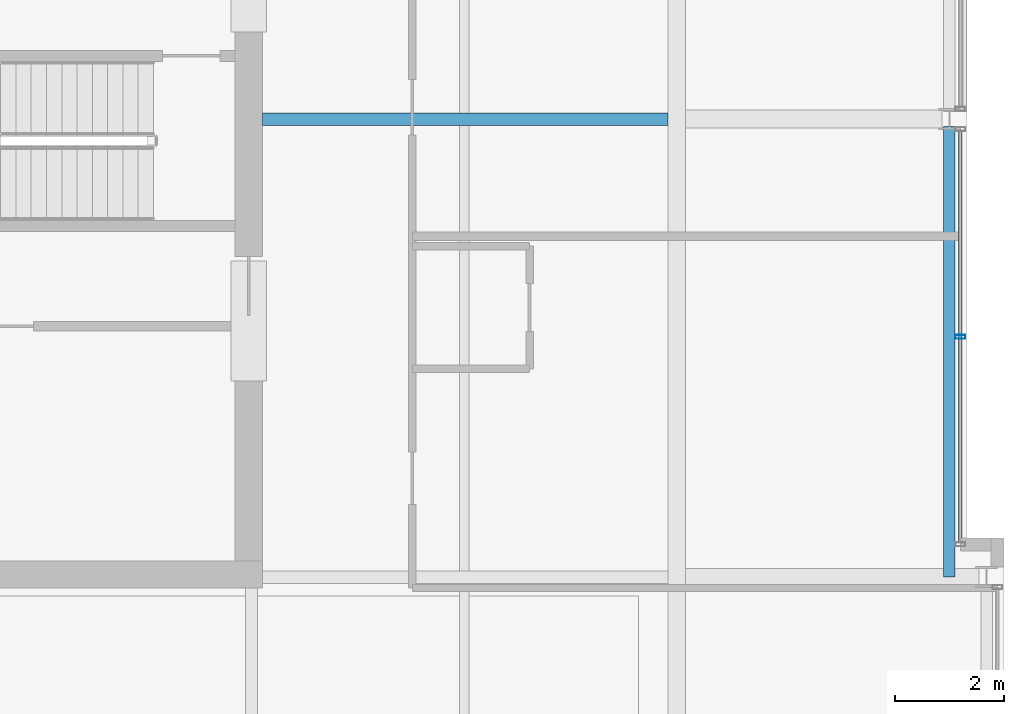
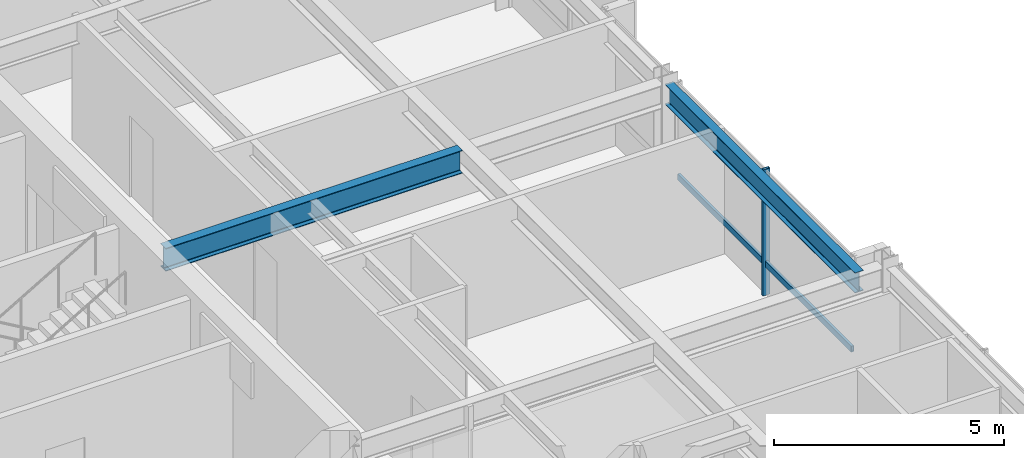
# One storey, part 14 of 32: 2 beams, 2 members, 1 element without a shape of its own.
"""IFC4 building model written with IfcOpenShell, lengths in metres."""

from ifc_helpers import new_model, si_unit, direction, frame, origin, origin_2d, place, context, subcontext, project, spatial, hollow_rectangle, i_section, extrude, material, layer, layer_set, material_profile, profile_set, type_object, element, aggregate, save


model = new_model("IFC4")

# Units and contexts
model_context = context("Model", 3, precision=1e-05, world=origin(), true_north=direction((0.0, 1.0)))
body_context = subcontext(model_context, "Body", "Model", "MODEL_VIEW")
ifc_project = project(units=[si_unit("LENGTHUNIT", "METRE"), si_unit("AREAUNIT", "SQUARE_METRE"), si_unit("VOLUMEUNIT", "CUBIC_METRE"), si_unit("PLANEANGLEUNIT", "RADIAN"), si_unit("MASSUNIT", "GRAM", prefix="KILO")], contexts=[model_context])

# Site, building, storey
site_placement = place(None, origin())
site = spatial("IfcSite", under=ifc_project, at=site_placement, CompositionType="ELEMENT")
building_placement = place(site_placement, origin())
building = spatial("IfcBuilding", under=site, at=building_placement, Name="Drelvath Grand Hotel", CompositionType="ELEMENT")
storey_placement = place(building_placement, frame((0.0, 0.0, 233.89990234375)))
storey = spatial("IfcBuildingStorey", under=building, at=storey_placement, Name="L61", CompositionType="ELEMENT", Elevation=233.89990234375)

# Curtain wall, members
ifc_material_1 = material(Name="Platinum-Mist Anodised Aluminium Frame", Category="aluminium")
ifc_layer = layer(ifc_material_1, 0.199951171875)
ifc_layer_set = layer_set([ifc_layer], Name="Platinum-Mist Anodised Aluminium Frame")
curtain_wall_type = type_object("IfcCurtainWallType", Name="Stick Curtain Wall CW-05 Platinum Mist High-Rise", PredefinedType="NOTDEFINED", material=ifc_layer_set)
curtain_wall_placement = place(storey_placement, origin())
curtain_wall = element("IfcCurtainWall", 1, at=curtain_wall_placement, inside=storey, type_object=curtain_wall_type, Name="L61 CW-05 Curtain Wall CW05-L61-EM1", PredefinedType="NOTDEFINED")
ifc_material_profile_1 = material_profile(ifc_material_1, hollow_rectangle(XDim=0.06494140625, YDim=0.159912109375, WallThickness=0.00390625, at=origin_2d()), Name="HSS160X65X4")
ifc_profile_set_1 = profile_set([ifc_material_profile_1], Name="Platinum-Mist Anodised Aluminium Frame")
member_type_1 = type_object("IfcMemberType", Name="Curtain Wall Horizontal Transom CW-05 HSS160X65X4", PredefinedType="USERDEFINED", material=ifc_profile_set_1)
member_1_placement = place(storey_placement, frame((21.39990234375, 26.774658203125, 0.835205078125), z_axis=(0.0, -1.0, 0.0), x_axis=(1.0, 0.0, 0.0)))
member_1 = element("IfcMember", 2, at=member_1_placement, type_object=member_type_1, Name="CW05-L61-EM1 Sill Transom", ObjectType="TRANSOM", PredefinedType="USERDEFINED", context=body_context, shape_type="SweptSolid", body=[
    extrude(hollow_rectangle(XDim=0.06494140625, YDim=0.159912109375, WallThickness=0.00390625, at=origin_2d()), origin(), (0.0, 0.0, 1.0), 7.53466796875),
])
ifc_material_profile_2 = material_profile(ifc_material_1, hollow_rectangle(XDim=0.074951171875, YDim=0.179931640625, WallThickness=0.0048828125, at=origin_2d()), Name="HSS180X75X5")
ifc_profile_set_2 = profile_set([ifc_material_profile_2], Name="Platinum-Mist Anodised Aluminium Frame")
member_type_2 = type_object("IfcMemberType", Name="Curtain Wall Vertical Mullion CW-05 HSS180X75X5", PredefinedType="MULLION", material=ifc_profile_set_2)
member_2_placement = place(storey_placement, frame((21.39990234375, 23.00732421875, 0.0), z_axis=(0.0, 0.0, 1.0), x_axis=(0.0, 1.0, 0.0)))
member_2 = element("IfcMember", 3, at=member_2_placement, type_object=member_type_2, Name="CW05-L61-EM1 Mullion 2", PredefinedType="MULLION", context=body_context, shape_type="SweptSolid", body=[
    extrude(hollow_rectangle(XDim=0.074951171875, YDim=0.179931640625, WallThickness=0.0048828125, at=origin_2d()), origin(), (0.0, 0.0, 1.0), 3.340087890625),
])
aggregate(curtain_wall, [member_2, member_1])

# Beams
ifc_material_2 = material(Name="Steel ASTM A992 Gr 50", Category="steel")
ifc_material_profile_3 = material_profile(ifc_material_2, i_section(OverallWidth=0.210205078125, OverallDepth=0.53662109375, WebThickness=0.010986328125, FlangeThickness=0.017333984375, FilletRadius=0.01806640625, at=origin_2d()), Name="W21X68")
ifc_profile_set_3 = profile_set([ifc_material_profile_3], Name="Steel ASTM A992 Gr 50")
beam_type_1 = type_object("IfcBeamType", Name="Perimeter Spandrel Beam W21X68", PredefinedType="SPANDREL", material=ifc_profile_set_3)
beam_1_placement = place(storey_placement, frame((21.199951171875, 18.60009765625, 3.07177734375), z_axis=(0.0, 1.0, 0.0), x_axis=(-1.0, 0.0, 0.0)))
element("IfcBeam", 4, at=beam_1_placement, inside=storey, type_object=beam_type_1, Name="L61 Spandrel East Mid S", PredefinedType="SPANDREL", context=body_context, shape_type="SweptSolid", body=[
    extrude(i_section(OverallWidth=0.210205078125, OverallDepth=0.53662109375, WebThickness=0.010986328125, FlangeThickness=0.017333984375, FilletRadius=0.01806640625, at=origin_2d()), origin(), (0.0, 0.0, 1.0), 8.260009765625),
])
ifc_material_profile_4 = material_profile(ifc_material_2, i_section(OverallWidth=0.228271484375, OverallDepth=0.607666015625, WebThickness=0.01123046875, FlangeThickness=0.017333984375, FilletRadius=0.02001953125, at=origin_2d()), Name="W24X76")
ifc_profile_set_4 = profile_set([ifc_material_profile_4], Name="Steel ASTM A992 Gr 50")
beam_type_2 = type_object("IfcBeamType", Name="Primary Floor Girder W24X76", PredefinedType="BEAM", material=ifc_profile_set_4)
beam_2_placement = place(storey_placement, frame((8.60009765625, 27.0, 3.036376953125), z_axis=(1.0, 0.0, 0.0), x_axis=(0.0, 1.0, 0.0)))
element("IfcBeam", 5, at=beam_2_placement, inside=storey, type_object=beam_type_2, Name="L61 East Core Tie E", PredefinedType="BEAM", context=body_context, shape_type="SweptSolid", body=[
    extrude(i_section(OverallWidth=0.228271484375, OverallDepth=0.607666015625, WebThickness=0.01123046875, FlangeThickness=0.017333984375, FilletRadius=0.02001953125, at=origin_2d()), origin(), (0.0, 0.0, 1.0), 7.43798828125),
])

save(model, "model.ifc")
